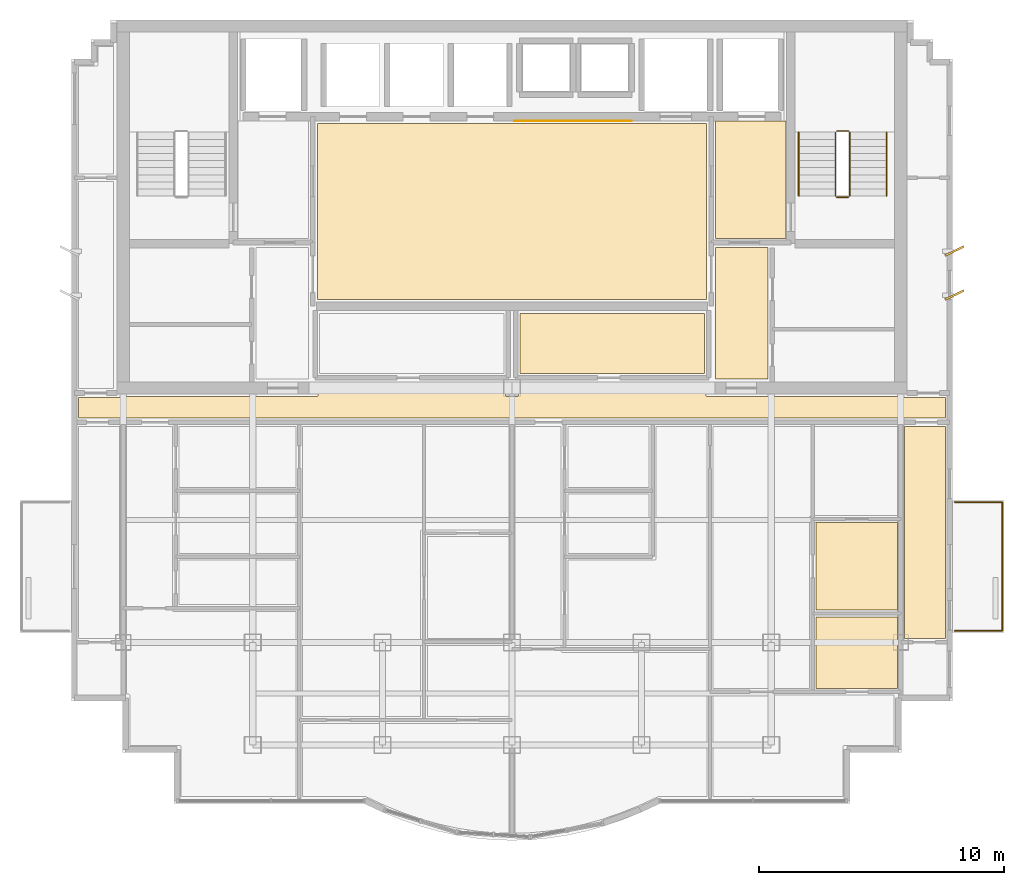
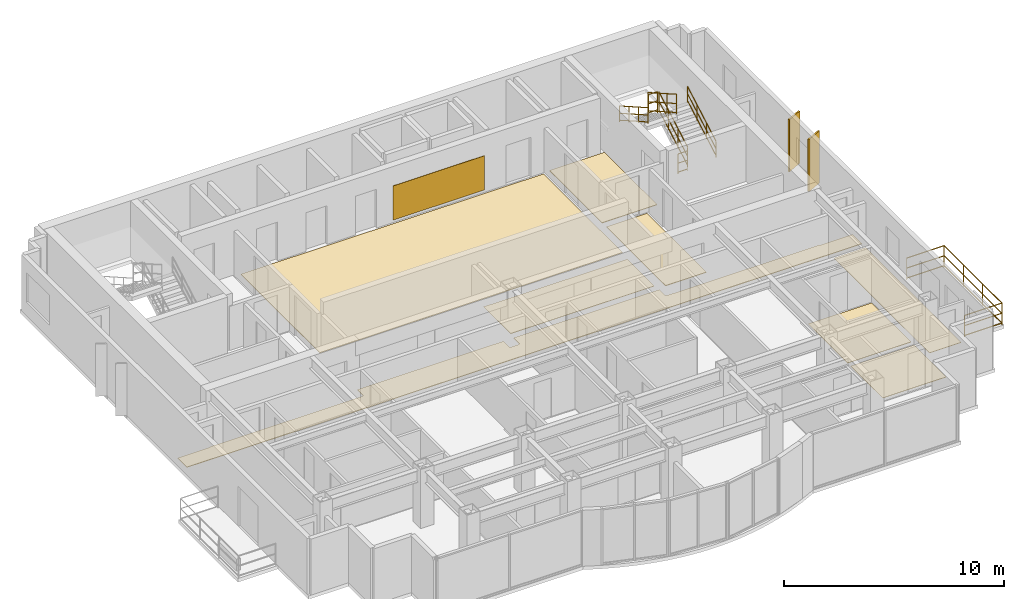
# One storey, part 9 of 9: 9 coverings, 7 railings, 2 shading devices.
"""IFC4 building model written with IfcOpenShell, lengths in metres."""

from ifc_helpers import new_model, si_unit, direction, frame, origin, origin_2d, place, context, subcontext, project, spatial, polyline, rectangle, circle, outline, extrude, source, transform, mapped, material, layer, layer_set, type_object, element, save


model = new_model("IFC4")

# Units and contexts
model_context = context("Model", 3, precision=1e-05, world=origin(), true_north=direction((0.0, 1.0)))
body_context = subcontext(model_context, "Body", "Model", "MODEL_VIEW")
ifc_project = project(units=[si_unit("LENGTHUNIT", "METRE"), si_unit("AREAUNIT", "SQUARE_METRE"), si_unit("VOLUMEUNIT", "CUBIC_METRE"), si_unit("PLANEANGLEUNIT", "RADIAN"), si_unit("MASSUNIT", "GRAM", prefix="KILO")], contexts=[model_context])

# Site, building, storey
site_placement = place(None, origin())
site = spatial("IfcSite", under=ifc_project, at=site_placement, CompositionType="ELEMENT")
building_placement = place(site_placement, origin())
building = spatial("IfcBuilding", under=site, at=building_placement, Name="Qianlan Lanfeng Residences", CompositionType="ELEMENT")
storey_placement = place(building_placement, frame((0.0, 0.0, 249.5)))
storey = spatial("IfcBuildingStorey", under=building, at=storey_placement, Name="L69", CompositionType="ELEMENT", Elevation=249.5)

# Coverings
ifc_material_1 = material(Name="Anodised Bronze Feature Wall Cladding")
ifc_layer_1 = layer(ifc_material_1, 0.02490234375)
ifc_layer_set_1 = layer_set([ifc_layer_1], Name="Anodised Bronze Feature Wall Cladding")
covering_type_1 = type_object("IfcCoveringType", Name="CLD-BRZ-25", PredefinedType="CLADDING", material=ifc_layer_set_1)
covering_1_placement = place(storey_placement, frame((0.0, 0.0, 0.14990234375)))
element("IfcCovering", 1, at=covering_1_placement, inside=storey, type_object=covering_type_1, Name="L69 Lift Lobby Bronze Feature Cladding", PredefinedType="CLADDING", context=body_context, shape_type="SweptSolid", body=[
    extrude(outline(polyline([(26.60009765625, 36.10009765625), (31.39990234375, 36.10009765625), (31.39990234375, 36.125), (26.60009765625, 36.125), (26.60009765625, 36.10009765625)])), origin(), (0.0, 0.0, 1.0), 1.900146484375),
])
ifc_material_2 = material(Name="Honed Taitung Granite Stone Flooring", Category="masonry")
ifc_layer_2 = layer(ifc_material_2, 0.030029296875)
ifc_layer_set_2 = layer_set([ifc_layer_2], Name="Honed Taitung Granite Stone Flooring")
covering_type_2 = type_object("IfcCoveringType", Name="FLR-STN-30", PredefinedType="FLOORING", material=ifc_layer_set_2)
covering_2_placement = place(storey_placement, origin())
element("IfcCovering", 2, at=covering_2_placement, inside=storey, type_object=covering_type_2, Name="L69 Firefighting Lift Lobby Floor Finish", PredefinedType="FLOORING", context=body_context, shape_type="SweptSolid", body=[
    extrude(outline(polyline([(34.820068359375, 31.320068359375), (37.7099609375, 31.320068359375), (37.7099609375, 36.110107421875), (34.820068359375, 36.110107421875), (34.820068359375, 31.320068359375)])), origin(), (0.0, 0.0, 1.0), 0.030029296875),
])
covering_3_placement = place(storey_placement, origin())
element("IfcCovering", 3, at=covering_3_placement, inside=storey, type_object=covering_type_2, Name="L69 Lift Lobby Floor Finish", PredefinedType="FLOORING", context=body_context, shape_type="SweptSolid", body=[
    extrude(outline(polyline([(18.550048828125, 28.820068359375), (34.449951171875, 28.820068359375), (34.449951171875, 36.010009765625), (18.550048828125, 36.010009765625), (18.550048828125, 28.820068359375)])), origin(), (0.0, 0.0, 1.0), 0.030029296875),
])
covering_4_placement = place(storey_placement, origin())
element("IfcCovering", 4, at=covering_4_placement, inside=storey, type_object=covering_type_2, Name="L69 Residential Corridor Floor Finish", PredefinedType="FLOORING", context=body_context, shape_type="SweptSolid", body=[
    extrude(outline(polyline([(8.77001953125, 23.97998046875), (44.22998046875, 23.97998046875), (44.22998046875, 24.820068359375), (42.5400390625, 24.820068359375), (42.532958984375, 24.820068359375), (42.52587890625, 24.821044921875), (42.52001953125, 24.822998046875), (42.512939453125, 24.824951171875), (42.507080078125, 24.827880859375), (42.5009765625, 24.83203125), (42.49609375, 24.8359375), (42.490966796875, 24.841064453125), (42.486083984375, 24.845947265625), (42.48291015625, 24.85009765625), (34.5, 24.85009765625), (34.492919921875, 24.85009765625), (34.486083984375, 24.85107421875), (34.47998046875, 24.85302734375), (34.472900390625, 24.85498046875), (34.467041015625, 24.85791015625), (34.4609375, 24.862060546875), (34.4560546875, 24.865966796875), (34.450927734375, 24.87109375), (34.446044921875, 24.8759765625), (34.44189453125, 24.881103515625), (34.43798828125, 24.886962890625), (34.43505859375, 24.89306640625), (34.43310546875, 24.89990234375), (34.430908203125, 24.906005859375), (34.429931640625, 24.9130859375), (34.429931640625, 24.919921875), (34.429931640625, 25.429931640625), (26.77001953125, 25.429931640625), (26.77001953125, 24.919921875), (26.77001953125, 24.9130859375), (26.76904296875, 24.906005859375), (26.76708984375, 24.89990234375), (26.764892578125, 24.89306640625), (26.761962890625, 24.886962890625), (26.758056640625, 24.881103515625), (26.75390625, 24.8759765625), (26.7490234375, 24.87109375), (26.743896484375, 24.865966796875), (26.739013671875, 24.862060546875), (26.73291015625, 24.85791015625), (26.72705078125, 24.85498046875), (26.719970703125, 24.85302734375), (26.714111328125, 24.85107421875), (26.70703125, 24.85009765625), (26.699951171875, 24.85009765625), (26.300048828125, 24.85009765625), (26.29296875, 24.85009765625), (26.285888671875, 24.85107421875), (26.280029296875, 24.85302734375), (26.27294921875, 24.85498046875), (26.26708984375, 24.85791015625), (26.260986328125, 24.862060546875), (26.256103515625, 24.865966796875), (26.2509765625, 24.87109375), (26.24609375, 24.8759765625), (26.241943359375, 24.881103515625), (26.238037109375, 24.886962890625), (26.235107421875, 24.89306640625), (26.23291015625, 24.89990234375), (26.23095703125, 24.906005859375), (26.22998046875, 24.9130859375), (26.22998046875, 24.919921875), (26.22998046875, 25.429931640625), (18.570068359375, 25.429931640625), (18.570068359375, 24.919921875), (18.570068359375, 24.9130859375), (18.569091796875, 24.906005859375), (18.56689453125, 24.89990234375), (18.56494140625, 24.89306640625), (18.56201171875, 24.886962890625), (18.55810546875, 24.881103515625), (18.553955078125, 24.8759765625), (18.549072265625, 24.87109375), (18.5439453125, 24.865966796875), (18.5390625, 24.862060546875), (18.532958984375, 24.85791015625), (18.527099609375, 24.85498046875), (18.52001953125, 24.85302734375), (18.513916015625, 24.85107421875), (18.507080078125, 24.85009765625), (18.5, 24.85009765625), (10.51708984375, 24.85009765625), (10.513916015625, 24.845947265625), (10.509033203125, 24.841064453125), (10.50390625, 24.8359375), (10.4990234375, 24.83203125), (10.492919921875, 24.827880859375), (10.487060546875, 24.824951171875), (10.47998046875, 24.822998046875), (10.47412109375, 24.821044921875), (10.467041015625, 24.820068359375), (10.4599609375, 24.820068359375), (8.77001953125, 24.820068359375), (8.77001953125, 23.97998046875)])), origin(), (0.0, 0.0, 1.0), 0.030029296875),
])
covering_5_placement = place(storey_placement, origin())
element("IfcCovering", 5, at=covering_5_placement, inside=storey, type_object=covering_type_2, Name="L69 Lift Lobby Floor Finish", PredefinedType="FLOORING", context=body_context, shape_type="SweptSolid", body=[
    extrude(outline(polyline([(34.830078125, 25.56005859375), (36.969970703125, 25.56005859375), (36.969970703125, 30.949951171875), (34.830078125, 30.949951171875), (34.830078125, 25.56005859375)])), origin(), (0.0, 0.0, 1.0), 0.030029296875),
])
ifc_material_3 = material(Name="Slip-Resistant Porcelain Tile Flooring")
ifc_layer_3 = layer(ifc_material_3, 0.02001953125)
ifc_layer_set_3 = layer_set([ifc_layer_3], Name="Slip-Resistant Porcelain Tile Flooring")
covering_type_3 = type_object("IfcCoveringType", Name="FLR-TIL-20", PredefinedType="FLOORING", material=ifc_layer_set_3)
covering_6_placement = place(storey_placement, origin())
element("IfcCovering", 6, at=covering_6_placement, inside=storey, type_object=covering_type_3, Name="L69 En-Suite Bathroom Floor Finish", PredefinedType="FLOORING", context=body_context, shape_type="SweptSolid", body=[
    extrude(outline(polyline([(38.93994140625, 12.9189453125), (42.27001953125, 12.9189453125), (42.27001953125, 15.839111328125), (38.93994140625, 15.839111328125), (38.93994140625, 12.9189453125)])), origin(), (0.0, 0.0, 1.0), 0.02001953125),
])
ifc_material_4 = material(Name="Engineered Smoked Oak Timber Flooring", Category="wood")
ifc_layer_4 = layer(ifc_material_4, 0.02197265625)
ifc_layer_set_4 = layer_set([ifc_layer_4], Name="Engineered Smoked Oak Timber Flooring")
covering_type_4 = type_object("IfcCoveringType", Name="FLR-TIM-22", PredefinedType="FLOORING", material=ifc_layer_set_4)
covering_7_placement = place(storey_placement, origin())
element("IfcCovering", 7, at=covering_7_placement, inside=storey, type_object=covering_type_4, Name="L69 Harbour Viewing Lounge Floor Finish", PredefinedType="FLOORING", context=body_context, shape_type="SweptSolid", body=[
    extrude(outline(polyline([(26.830078125, 25.800048828125), (34.3701171875, 25.800048828125), (34.3701171875, 28.2548828125), (26.830078125, 28.2548828125), (26.830078125, 25.800048828125)])), origin(), (0.0, 0.0, 1.0), 0.02197265625),
])
covering_8_placement = place(storey_placement, origin())
element("IfcCovering", 8, at=covering_8_placement, inside=storey, type_object=covering_type_4, Name="L69 Private Study Floor Finish", PredefinedType="FLOORING", context=body_context, shape_type="SweptSolid", body=[
    extrude(outline(polyline([(38.93994140625, 16.118896484375), (42.27001953125, 16.118896484375), (42.27001953125, 19.699951171875), (38.93994140625, 19.699951171875), (38.93994140625, 16.118896484375)])), origin(), (0.0, 0.0, 1.0), 0.02197265625),
])
covering_9_placement = place(storey_placement, origin())
element("IfcCovering", 9, at=covering_9_placement, inside=storey, type_object=covering_type_4, Name="L69 Private Study Floor Finish", PredefinedType="FLOORING", context=body_context, shape_type="SweptSolid", body=[
    extrude(outline(polyline([(44.22998046875, 23.6298828125), (42.56005859375, 23.6298828125), (42.56005859375, 14.949951171875), (44.22998046875, 14.949951171875), (44.22998046875, 23.6298828125)])), origin(), (0.0, 0.0, 1.0), 0.02197265625),
])

# Railings
ifc_material_5 = material(Name="Anodised Bronze Aluminium and Laminated Glass Guard Balustrade", Category="aluminium")
railing_type_1 = type_object("IfcRailingType", Name="GR-EXT-1220", PredefinedType="BALUSTRADE", material=ifc_material_5)
railing_1_placement = place(storey_placement, frame((44.590087890625, 20.530029296875, 0.0)))
element("IfcRailing", 10, at=railing_1_placement, inside=storey, type_object=railing_type_1, Name="L69 Terrace Safety Guard GR-L69-EB-N", PredefinedType="BALUSTRADE", context=body_context, shape_type="SweptSolid", body=[
    extrude(circle(Radius=0.02490234375, at=origin_2d()), frame((0.0, 0.0, 0.0849609375), z_axis=(1.0, 0.0, 0.0), x_axis=(0.0, 1.0, 0.0)), (0.0, 0.0, 1.0), 1.9599609375),
    extrude(circle(Radius=0.02490234375, at=origin_2d()), frame((0.0, 0.0, 0.63427734375), z_axis=(1.0, 0.0, 0.0), x_axis=(0.0, 1.0, 0.0)), (0.0, 0.0, 1.0), 1.9599609375),
    extrude(circle(Radius=0.02490234375, at=origin_2d()), frame((0.0, 0.0, 1.19482421875), z_axis=(1.0, 0.0, 0.0), x_axis=(0.0, 1.0, 0.0)), (0.0, 0.0, 1.0), 1.9599609375),
    extrude(circle(Radius=0.02490234375, at=origin_2d()), frame((1.9599609375, 0.0, 0.0849609375), z_axis=(0.0, -1.0, 0.0), x_axis=(1.0, 0.0, 0.0)), (0.0, 0.0, 1.0), 5.260009765625),
    extrude(circle(Radius=0.02490234375, at=origin_2d()), frame((1.9599609375, 0.0, 0.63427734375), z_axis=(0.0, -1.0, 0.0), x_axis=(1.0, 0.0, 0.0)), (0.0, 0.0, 1.0), 5.260009765625),
    extrude(circle(Radius=0.02490234375, at=origin_2d()), frame((1.9599609375, 0.0, 1.19482421875), z_axis=(0.0, -1.0, 0.0), x_axis=(1.0, 0.0, 0.0)), (0.0, 0.0, 1.0), 5.260009765625),
    extrude(circle(Radius=0.02490234375, at=origin_2d()), frame((1.9599609375, -5.260009765625, 0.0849609375), z_axis=(-1.0, 0.0, 0.0), x_axis=(0.0, -1.0, 0.0)), (0.0, 0.0, 1.0), 1.9599609375),
    extrude(circle(Radius=0.02490234375, at=origin_2d()), frame((1.9599609375, -5.260009765625, 0.63427734375), z_axis=(-1.0, 0.0, 0.0), x_axis=(0.0, -1.0, 0.0)), (0.0, 0.0, 1.0), 1.9599609375),
    extrude(circle(Radius=0.02490234375, at=origin_2d()), frame((1.9599609375, -5.260009765625, 1.19482421875), z_axis=(-1.0, 0.0, 0.0), x_axis=(0.0, -1.0, 0.0)), (0.0, 0.0, 1.0), 1.9599609375),
    extrude(circle(Radius=0.02099609375, at=origin_2d()), origin(), (0.0, 0.0, 1.0), 1.169921875),
    extrude(circle(Radius=0.02099609375, at=origin_2d()), frame((1.9599609375, 0.0, 0.0)), (0.0, 0.0, 1.0), 1.169921875),
    extrude(circle(Radius=0.02099609375, at=origin_2d()), frame((1.9599609375, -1.75341796875, 0.0)), (0.0, 0.0, 1.0), 1.169921875),
    extrude(circle(Radius=0.02099609375, at=origin_2d()), frame((1.9599609375, -3.506591796875, 0.0)), (0.0, 0.0, 1.0), 1.169921875),
    extrude(circle(Radius=0.02099609375, at=origin_2d()), frame((1.9599609375, -5.260009765625, 0.0)), (0.0, 0.0, 1.0), 1.169921875),
    extrude(circle(Radius=0.02099609375, at=origin_2d()), frame((0.0, -5.260009765625, 0.0)), (0.0, 0.0, 1.0), 1.169921875),
])
ifc_material_6 = material(Name="Painted Galvanised Steel Guardrail", Category="steel")
railing_type_2 = type_object("IfcRailingType", Name="GR-ST-1120", PredefinedType="GUARDRAIL", material=ifc_material_6)
railing_2_placement = place(storey_placement, frame((40.31005859375, 33.050048828125, 0.1650390625)))
element("IfcRailing", 11, at=railing_2_placement, inside=storey, type_object=railing_type_2, Name="L69 ST-2 stair guard 1", PredefinedType="GUARDRAIL", context=body_context, shape_type="SweptSolid", body=[
    extrude(circle(Radius=0.02392578125, at=origin_2d()), frame((0.0, 0.0, 0.083984375), z_axis=(0.0, 0.869172267526, 0.494509422927), x_axis=(-1.0, 0.0, 0.0)), (0.0, 0.0, 1.0), 3.002685546875),
    extrude(circle(Radius=0.02392578125, at=origin_2d()), frame((0.0, 0.0, 0.58251953125), z_axis=(0.0, 0.869172267526, 0.494509422927), x_axis=(-1.0, 0.0, 0.0)), (0.0, 0.0, 1.0), 3.002685546875),
    extrude(circle(Radius=0.02392578125, at=origin_2d()), frame((0.0, 0.0, 1.09619140625), z_axis=(0.0, 0.869172267526, 0.494509422927), x_axis=(-1.0, 0.0, 0.0)), (0.0, 0.0, 1.0), 3.002685546875),
    extrude(circle(Radius=0.02099609375, at=origin_2d()), origin(), (0.0, 0.0, 1.0), 1.072021484375),
    extrude(circle(Radius=0.02099609375, at=origin_2d()), frame((0.0, 0.869873046875, 0.494873046875)), (0.0, 0.0, 1.0), 1.072021484375),
    extrude(circle(Radius=0.02099609375, at=origin_2d()), frame((0.0, 1.739990234375, 0.989990234375)), (0.0, 0.0, 1.0), 1.072021484375),
    extrude(circle(Radius=0.02099609375, at=origin_2d()), frame((0.0, 2.60986328125, 1.48486328125)), (0.0, 0.0, 1.0), 1.072021484375),
])
railing_3_placement = place(storey_placement, frame((40.260009765625, 35.7099609375, 1.64990234375)))
element("IfcRailing", 12, at=railing_3_placement, inside=storey, type_object=railing_type_2, Name="L69 ST-2 stair guard 2", PredefinedType="GUARDRAIL", context=body_context, shape_type="SweptSolid", body=[
    extrude(circle(Radius=0.02392578125, at=origin_2d()), frame((0.0, 0.0, 0.083984375), z_axis=(-1.0, 0.0, 0.0), x_axis=(0.0, -1.0, 0.0)), (0.0, 0.0, 1.0), 0.47998046875),
    extrude(circle(Radius=0.02392578125, at=origin_2d()), frame((0.0, 0.0, 0.58251953125), z_axis=(-1.0, 0.0, 0.0), x_axis=(0.0, -1.0, 0.0)), (0.0, 0.0, 1.0), 0.47998046875),
    extrude(circle(Radius=0.02392578125, at=origin_2d()), frame((0.0, 0.0, 1.09619140625), z_axis=(-1.0, 0.0, 0.0), x_axis=(0.0, -1.0, 0.0)), (0.0, 0.0, 1.0), 0.47998046875),
    extrude(circle(Radius=0.02099609375, at=origin_2d()), origin(), (0.0, 0.0, 1.0), 1.072021484375),
    extrude(circle(Radius=0.02099609375, at=origin_2d()), frame((-0.47998046875, 0.0, 0.0)), (0.0, 0.0, 1.0), 1.072021484375),
])
railing_4_placement = place(storey_placement, frame((39.72998046875, 35.659912109375, 1.81494140625)))
element("IfcRailing", 13, at=railing_4_placement, inside=storey, type_object=railing_type_2, Name="L69 ST-2 stair guard 3", PredefinedType="GUARDRAIL", context=body_context, shape_type="SweptSolid", body=[
    extrude(circle(Radius=0.02392578125, at=origin_2d()), frame((0.0, 0.0, 0.083984375), z_axis=(0.0, -0.869137319866, 0.494570843475), x_axis=(1.0, 0.0, 0.0)), (0.0, 0.0, 1.0), 3.0029296875),
    extrude(circle(Radius=0.02392578125, at=origin_2d()), frame((0.0, 0.0, 0.58251953125), z_axis=(0.0, -0.869137319866, 0.494570843475), x_axis=(1.0, 0.0, 0.0)), (0.0, 0.0, 1.0), 3.0029296875),
    extrude(circle(Radius=0.02392578125, at=origin_2d()), frame((0.0, 0.0, 1.09619140625), z_axis=(0.0, -0.869137319866, 0.494570843475), x_axis=(1.0, 0.0, 0.0)), (0.0, 0.0, 1.0), 3.0029296875),
    extrude(circle(Radius=0.02099609375, at=origin_2d()), origin(), (0.0, 0.0, 1.0), 1.072021484375),
    extrude(circle(Radius=0.02099609375, at=origin_2d()), frame((0.0, -0.869873046875, 0.4951171875)), (0.0, 0.0, 1.0), 1.072021484375),
    extrude(circle(Radius=0.02099609375, at=origin_2d()), frame((0.0, -1.739990234375, 0.989990234375)), (0.0, 0.0, 1.0), 1.072021484375),
    extrude(circle(Radius=0.02099609375, at=origin_2d()), frame((0.0, -2.60986328125, 1.485107421875)), (0.0, 0.0, 1.0), 1.072021484375),
])
railing_5_placement = place(storey_placement, frame((40.260009765625, 33.0, 0.0)))
element("IfcRailing", 14, at=railing_5_placement, inside=storey, type_object=railing_type_2, Name="L69 ST-2 stair guard 4", PredefinedType="GUARDRAIL", context=body_context, shape_type="SweptSolid", body=[
    extrude(circle(Radius=0.02392578125, at=origin_2d()), frame((0.0, 0.0, 0.083984375), z_axis=(-1.0, 0.0, 0.0), x_axis=(0.0, -1.0, 0.0)), (0.0, 0.0, 1.0), 0.47998046875),
    extrude(circle(Radius=0.02392578125, at=origin_2d()), frame((0.0, 0.0, 0.58251953125), z_axis=(-1.0, 0.0, 0.0), x_axis=(0.0, -1.0, 0.0)), (0.0, 0.0, 1.0), 0.47998046875),
    extrude(circle(Radius=0.02392578125, at=origin_2d()), frame((0.0, 0.0, 1.09619140625), z_axis=(-1.0, 0.0, 0.0), x_axis=(0.0, -1.0, 0.0)), (0.0, 0.0, 1.0), 0.47998046875),
    extrude(circle(Radius=0.02099609375, at=origin_2d()), origin(), (0.0, 0.0, 1.0), 1.072021484375),
    extrude(circle(Radius=0.02099609375, at=origin_2d()), frame((-0.47998046875, 0.0, 0.0)), (0.0, 0.0, 1.0), 1.072021484375),
])
ifc_material_7 = material(Name="Brushed Stainless Steel Handrail", Category="steel")
railing_type_3 = type_object("IfcRailingType", Name="HR-ST-920", PredefinedType="HANDRAIL", material=ifc_material_7)
railing_6_placement = place(storey_placement, frame((41.81005859375, 33.050048828125, 0.1650390625)))
element("IfcRailing", 15, at=railing_6_placement, inside=storey, type_object=railing_type_3, Name="L69 ST-2 stair handrail 1", PredefinedType="HANDRAIL", context=body_context, shape_type="SweptSolid", body=[
    extrude(circle(Radius=0.02392578125, at=origin_2d()), frame((0.0, 0.0, 0.083984375), z_axis=(0.0, 0.869172267526, 0.494509422927), x_axis=(-1.0, 0.0, 0.0)), (0.0, 0.0, 1.0), 3.002685546875),
    extrude(circle(Radius=0.02392578125, at=origin_2d()), frame((0.0, 0.0, 0.468017578125), z_axis=(0.0, 0.869172267526, 0.494509422927), x_axis=(-1.0, 0.0, 0.0)), (0.0, 0.0, 1.0), 3.002685546875),
    extrude(circle(Radius=0.02392578125, at=origin_2d()), frame((0.0, 0.0, 0.8759765625), z_axis=(0.0, 0.869172267526, 0.494509422927), x_axis=(-1.0, 0.0, 0.0)), (0.0, 0.0, 1.0), 3.002685546875),
    extrude(circle(Radius=0.02099609375, at=origin_2d()), origin(), (0.0, 0.0, 1.0), 0.851806640625),
    extrude(circle(Radius=0.02099609375, at=origin_2d()), frame((0.0, 0.869873046875, 0.494873046875)), (0.0, 0.0, 1.0), 0.851806640625),
    extrude(circle(Radius=0.02099609375, at=origin_2d()), frame((0.0, 1.739990234375, 0.989990234375)), (0.0, 0.0, 1.0), 0.851806640625),
    extrude(circle(Radius=0.02099609375, at=origin_2d()), frame((0.0, 2.60986328125, 1.48486328125)), (0.0, 0.0, 1.0), 0.851806640625),
])
railing_7_placement = place(storey_placement, frame((38.22998046875, 35.659912109375, 1.81494140625)))
element("IfcRailing", 16, at=railing_7_placement, inside=storey, type_object=railing_type_3, Name="L69 ST-2 stair handrail 2", PredefinedType="HANDRAIL", context=body_context, shape_type="SweptSolid", body=[
    extrude(circle(Radius=0.02392578125, at=origin_2d()), frame((0.0, 0.0, 0.083984375), z_axis=(0.0, -0.869137319866, 0.494570843475), x_axis=(1.0, 0.0, 0.0)), (0.0, 0.0, 1.0), 3.0029296875),
    extrude(circle(Radius=0.02392578125, at=origin_2d()), frame((0.0, 0.0, 0.468017578125), z_axis=(0.0, -0.869137319866, 0.494570843475), x_axis=(1.0, 0.0, 0.0)), (0.0, 0.0, 1.0), 3.0029296875),
    extrude(circle(Radius=0.02392578125, at=origin_2d()), frame((0.0, 0.0, 0.8759765625), z_axis=(0.0, -0.869137319866, 0.494570843475), x_axis=(1.0, 0.0, 0.0)), (0.0, 0.0, 1.0), 3.0029296875),
    extrude(circle(Radius=0.02099609375, at=origin_2d()), origin(), (0.0, 0.0, 1.0), 0.851806640625),
    extrude(circle(Radius=0.02099609375, at=origin_2d()), frame((0.0, -0.869873046875, 0.4951171875)), (0.0, 0.0, 1.0), 0.851806640625),
    extrude(circle(Radius=0.02099609375, at=origin_2d()), frame((0.0, -1.739990234375, 0.989990234375)), (0.0, 0.0, 1.0), 0.851806640625),
    extrude(circle(Radius=0.02099609375, at=origin_2d()), frame((0.0, -2.60986328125, 1.485107421875)), (0.0, 0.0, 1.0), 0.851806640625),
])

# Shading devices
ifc_material_8 = material(Name="Anodised Bronze Aluminium Solar Fin", Category="aluminium")
shading_device_type = type_object("IfcShadingDeviceType", Name="FIN-BRZ-850", PredefinedType="SHUTTER", material=ifc_material_8)
shared_shape = source(origin(), body_context, "Body", "SweptSolid", [
    extrude(rectangle(XDim=0.85009765625, YDim=0.080078125, at=origin_2d()), origin(), (0.0, 0.0, 1.0), 2.89990234375),
])
for number, where, z_axis, x_axis, name in (
    (17, (44.590087890625, 29.0, 0.0), (0.0, 0.0, 1.0), (0.898794046299, 0.438371146789, 0.0), "L69 Raked Bronze Solar Fin E1"),
    (18, (44.590087890625, 30.800048828125, 0.0), (0.0, 0.0, 1.0), (0.898794046299, 0.438371146789, 0.0), "L69 Raked Bronze Solar Fin E2"),
):
    element("IfcShadingDevice", number, at=place(storey_placement, frame(where, z_axis=z_axis, x_axis=x_axis)), inside=storey, type_object=shading_device_type, Name=name, PredefinedType="SHUTTER", context=body_context, shape_type="MappedRepresentation", body=[
        mapped(shared_shape, transform((0.0, 0.0, 0.0), scale=1.0)),
    ])

save(model, "model.ifc")
